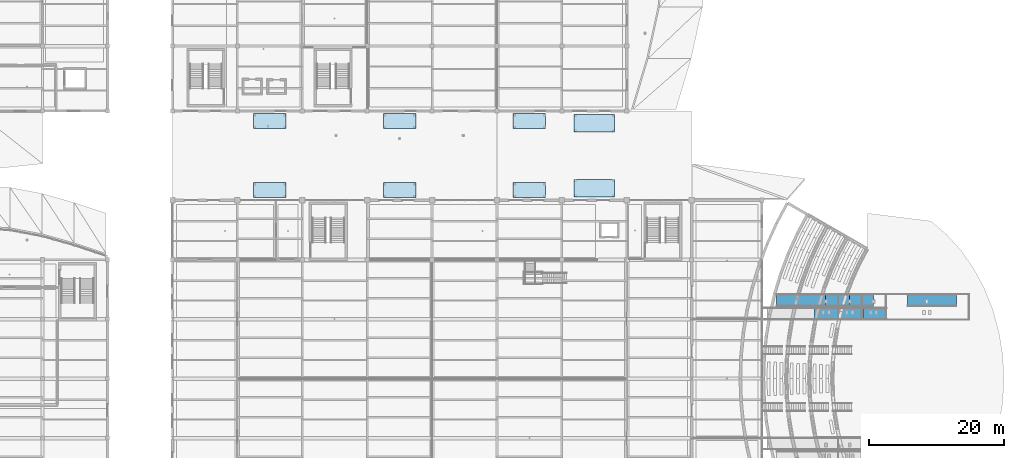
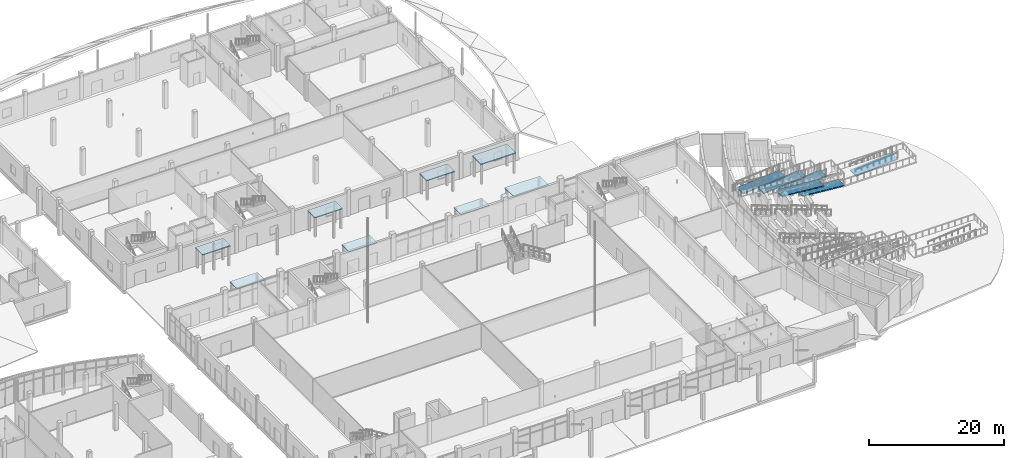
# One storey, part 89 of 116: 8 roofs, 6 ramp flights, 4 elements without a shape of their own.
"""IFC4 building model written with IfcOpenShell, lengths in metres."""

import ifcopenshell
import ifcopenshell.guid

model = None  # the IFC model being written
_history = None  # IfcOwnerHistory: only IFC2X3 demands one
_inside = {}  # id of a spatial element -> (the spatial element, [elements in it])
_under = {}  # id of a project, library or spatial element -> (it, [spatial elements below it])
_declared = {}  # id of a project -> (the project, [libraries it declares])
_typed = {}  # id of a type object -> (the type object, [elements of that type])
_made_of = {}  # id of a material, layer set ... -> (it, [elements and type objects made of it])


def new_model(schema):
    """Start an empty IFC model of exactly this schema.

    Asked for "IFC4X3", IfcOpenShell would pick the latest addendum, in which some entities
    have other attributes; the version numbers below select the first issue.
    IFC2X3 requires an IfcOwnerHistory on every rooted entity: one is made here for all.
    """
    global model, _history
    if schema == "IFC4X3":
        model = ifcopenshell.file(schema_version=(4, 3, 0, 0))
    else:
        model = ifcopenshell.file(schema=schema)
    _inside.clear()
    _under.clear()
    _declared.clear()
    _typed.clear()
    _made_of.clear()
    _history = None
    if model.schema == "IFC2X3":
        org = make("IfcOrganization", Name="unknown")
        user = make(
            "IfcPersonAndOrganization",
            ThePerson=make("IfcPerson", FamilyName="unknown"),
            TheOrganization=org,
        )
        app = make(
            "IfcApplication",
            ApplicationDeveloper=org,
            Version="unknown",
            ApplicationFullName="unknown",
            ApplicationIdentifier="unknown",
        )
        _history = make(
            "IfcOwnerHistory",
            OwningUser=user,
            OwningApplication=app,
            ChangeAction="ADDED",
            CreationDate=0,
        )
    return model


def make(cls, **values):
    """One entity of the class cls with the attributes given. An attribute that is None is left unset."""
    return model.create_entity(
        cls, **{name: value for name, value in values.items() if value is not None}
    )


def rooted(cls, **values):
    """An entity with a GlobalId (a new one), such as an element, a storey or a relation."""
    return make(cls, GlobalId=ifcopenshell.guid.new(), OwnerHistory=_history, **values)


def si_unit(unit_type, name, prefix=None):
    """IfcSIUnit, for example si_unit("LENGTHUNIT", "METRE", prefix="MILLI")."""
    return make("IfcSIUnit", UnitType=unit_type, Prefix=prefix, Name=name)


def assignment(units):
    """IfcUnitAssignment: the units of a project."""
    return None if units is None else make("IfcUnitAssignment", Units=units)


def point(xyz):
    """IfcCartesianPoint."""
    return None if xyz is None else make("IfcCartesianPoint", Coordinates=xyz)


def direction(xyz):
    """IfcDirection."""
    return None if xyz is None else make("IfcDirection", DirectionRatios=xyz)


def frame(location, z_axis=None, x_axis=None):
    """IfcAxis2Placement3D, a coordinate frame: its origin and axes. An axis left out is left unset."""
    return make(
        "IfcAxis2Placement3D",
        Location=point(location),
        Axis=direction(z_axis),
        RefDirection=direction(x_axis),
    )


def origin():
    """The frame at (0, 0, 0) with its axes left unset."""
    return frame((0.0, 0.0, 0.0))


def place(relative_to, where):
    """IfcLocalPlacement: puts the frame where relative to a parent placement (None: the world)."""
    return make(
        "IfcLocalPlacement", PlacementRelTo=relative_to, RelativePlacement=where
    )


def context(
    kind, dimensions, precision=None, world=None, true_north=None, identifier=None
):
    """IfcGeometricRepresentationContext, for example the 3D "Model" context."""
    return make(
        "IfcGeometricRepresentationContext",
        ContextIdentifier=identifier,
        ContextType=kind,
        CoordinateSpaceDimension=dimensions,
        Precision=precision,
        WorldCoordinateSystem=world,
        TrueNorth=true_north,
    )


def subcontext(parent, identifier, kind, view, scale=None):
    """IfcGeometricRepresentationSubContext, for example "Body" below "Model"."""
    return make(
        "IfcGeometricRepresentationSubContext",
        ContextIdentifier=identifier,
        ContextType=kind,
        ParentContext=parent,
        TargetScale=scale,
        TargetView=view,
    )


def project(units=None, contexts=None):
    """IfcProject with its units and contexts."""
    return rooted(
        "IfcProject",
        Name="project",
        RepresentationContexts=contexts,
        UnitsInContext=assignment(units),
    )


def spatial(cls, under=None, at=None, **own):
    """A site, building, storey or space (cls), placed at a placement, below another one or the project."""
    s = rooted(cls, ObjectPlacement=at, **own)
    if under is not None:
        _under.setdefault(under.id(), (under, []))[1].append(s)
    return s


def polyline(points):
    """IfcPolyline through the points."""
    return make("IfcPolyline", Points=[point(p) for p in points])


def outline(outer, holes=None, kind="AREA"):
    """IfcArbitraryClosedProfileDef: a profile drawn as a closed curve; with holes, ...WithVoids."""
    if holes is None:
        return make("IfcArbitraryClosedProfileDef", ProfileType=kind, OuterCurve=outer)
    return make(
        "IfcArbitraryProfileDefWithVoids",
        ProfileType=kind,
        OuterCurve=outer,
        InnerCurves=holes,
    )


def extrude(swept, where, along, depth):
    """IfcExtrudedAreaSolid: the profile swept, set in the frame where, extruded along a direction by depth."""
    return make(
        "IfcExtrudedAreaSolid",
        SweptArea=swept,
        Position=where,
        ExtrudedDirection=direction(along),
        Depth=depth,
    )


def shape(context_of_items, identifier, shape_type, items):
    """IfcShapeRepresentation: the items that make up one representation, for example the "Body"."""
    return make(
        "IfcShapeRepresentation",
        ContextOfItems=context_of_items,
        RepresentationIdentifier=identifier,
        RepresentationType=shape_type,
        Items=items,
    )


def material(Name=None, Category=None):
    """IfcMaterial."""
    return make("IfcMaterial", Name=Name, Category=Category)


def layer(
    of_material, thickness, ventilated=None, Name=None, Category=None, Priority=None
):
    """IfcMaterialLayer: one layer of a wall or slab, of a material (None: an air gap)."""
    return make(
        "IfcMaterialLayer",
        Material=of_material,
        LayerThickness=thickness,
        IsVentilated=ventilated,
        Name=Name,
        Category=Category,
        Priority=Priority,
    )


def layer_set(layers, Name=None):
    """IfcMaterialLayerSet."""
    return make("IfcMaterialLayerSet", MaterialLayers=layers, LayerSetName=Name)


def made_of(thing, what):
    """Note that an element or type object is made of a material, layer set ...; save() writes the relation."""
    if what is not None:
        _made_of.setdefault(what.id(), (what, []))[1].append(thing)
    return thing


def type_object(cls, material=None, **own):
    """A type object (cls), such as IfcWallType, which elements share."""
    return made_of(rooted(cls, **own), material)


def element(
    cls,
    number,
    at=None,
    inside=None,
    cuts=None,
    type_object=None,
    material=None,
    context=None,
    identifier="Body",
    shape_type=None,
    held_by="IfcProductDefinitionShape",
    body=None,
    shapes=None,
    **own,
):
    """One element of the class cls, such as IfcWall. Its Tag is "e" and its number.

    at: its placement. inside: the storey or other place that contains it. cuts: it is an
    opening in that element (IfcRelVoidsElement). A single representation is given by context,
    identifier, shape_type and body (its items); several are given by shapes. held_by: the class
    of the entity that holds the representations. save() writes the other relations.
    """
    e = rooted(cls, Tag="e%d" % number, ObjectPlacement=at, **own)
    if body is not None:
        shapes = [shape(context, identifier, shape_type, body)]
    if shapes is not None:
        e.Representation = make(held_by, Representations=shapes)
    if inside is not None:
        _inside.setdefault(inside.id(), (inside, []))[1].append(e)
    if cuts is not None:
        rooted(
            "IfcRelVoidsElement", RelatingBuildingElement=cuts, RelatedOpeningElement=e
        )
    if type_object is not None:
        _typed.setdefault(type_object.id(), (type_object, []))[1].append(e)
    return made_of(e, material)


def aggregate(whole, parts):
    """IfcRelAggregates: a whole, such as a stair, and the parts it consists of."""
    return rooted("IfcRelAggregates", RelatingObject=whole, RelatedObjects=parts)


def save(model, path):
    """Write the relations noted so far, then the file.

    IfcRelAggregates (storeys below a building ...), IfcRelContainedInSpatialStructure (elements
    in a storey), IfcRelDefinesByType, IfcRelAssociatesMaterial and IfcRelDeclares: one each for
    every whole, place, type object, material and project.
    """
    for whole, parts in _under.values():
        aggregate(whole, parts)
    for where, things in _inside.values():
        rooted(
            "IfcRelContainedInSpatialStructure",
            RelatedElements=things,
            RelatingStructure=where,
        )
    for kind, things in _typed.values():
        rooted("IfcRelDefinesByType", RelatedObjects=things, RelatingType=kind)
    for what, things in _made_of.values():
        rooted("IfcRelAssociatesMaterial", RelatedObjects=things, RelatingMaterial=what)
    for by, libraries in _declared.values():
        rooted("IfcRelDeclares", RelatingContext=by, RelatedDefinitions=libraries)
    model.write(path)


model = new_model("IFC4")

# Units and contexts
model_context = context("Model", 3, precision=1e-05, world=origin(), true_north=direction((0.0, 1.0)))
body_context = subcontext(model_context, "Body", "Model", "MODEL_VIEW")
ifc_project = project(units=[si_unit("LENGTHUNIT", "METRE"), si_unit("AREAUNIT", "SQUARE_METRE"), si_unit("VOLUMEUNIT", "CUBIC_METRE"), si_unit("PLANEANGLEUNIT", "RADIAN"), si_unit("MASSUNIT", "GRAM", prefix="KILO")], contexts=[model_context])

# Site, building, storey
site_placement = place(None, origin())
site = spatial("IfcSite", under=ifc_project, at=site_placement, CompositionType="ELEMENT")
building_placement = place(site_placement, origin())
building = spatial("IfcBuilding", under=site, at=building_placement, Name="Chalmorin Arch Market", CompositionType="ELEMENT")
storey_placement = place(building_placement, origin())
storey = spatial("IfcBuildingStorey", under=building, at=storey_placement, Name="L00", CompositionType="ELEMENT", Elevation=0.0)

# Ramp, ramp flights
ifc_material_1 = material(Name="Concrete C40/50", Category="concrete")
ramp_type = type_object("IfcRampType", Name="AmphitheatreAccessibleRamp-1800", PredefinedType="HALF_TURN_RAMP", material=ifc_material_1)
ramp_1_placement = place(storey_placement, origin())
ramp_1 = element("IfcRamp", 1, at=ramp_1_placement, inside=storey, type_object=ramp_type, material=ifc_material_1, Name="RMP-02", PredefinedType="HALF_TURN_RAMP")
ifc_layer_1 = layer(ifc_material_1, 0.199951171875)
ifc_layer_set_1 = layer_set([ifc_layer_1], Name="Concrete C40/50")
ramp_flight_type = type_object("IfcRampFlightType", Name="AccessibleRampFlight-1800", PredefinedType="STRAIGHT", material=ifc_layer_set_1)
ramp_flight_1_placement = place(storey_placement, frame((156.75, 43.10009765625, 0.0), z_axis=(-0.083059462528, 0.0, 0.996544592923), x_axis=(0.996544592923, 0.0, 0.083059462528)))
ramp_flight_1 = element("IfcRampFlight", 2, at=ramp_flight_1_placement, type_object=ramp_flight_type, material=ifc_material_1, Name="RMP-02-F1", PredefinedType="STRAIGHT", context=body_context, shape_type="SweptSolid", body=[
    extrude(outline(polyline([(0.0, 0.0), (7.224916198435864, 0.0), (7.224916198435864, 1.7998046875), (0.0, 1.7998046875), (0.0, 0.0)])), origin(), (0.0, 0.0, -1.0), 0.199951171875),
])
ramp_flight_2_placement = place(storey_placement, frame((146.39892578125, 41.10009765625, 1.199951171875), z_axis=(0.083023108232, 0.0, 0.996547622294), x_axis=(0.996547622294, 0.0, -0.083023108232)))
ramp_flight_2 = element("IfcRampFlight", 3, at=ramp_flight_2_placement, type_object=ramp_flight_type, material=ifc_material_1, Name="RMP-02-F2", PredefinedType="STRAIGHT", context=body_context, shape_type="SweptSolid", body=[
    extrude(outline(polyline([(0.0, 0.0), (7.225139222074177, 0.0), (7.225139222074177, 1.7998046875), (0.0, 1.7998046875), (0.0, 0.0)])), origin(), (0.0, 0.0, -1.0), 0.199951171875),
])
aggregate(ramp_1, [ramp_flight_1, ramp_flight_2])

ramp_2_placement = place(storey_placement, origin())
ramp_2 = element("IfcRamp", 4, at=ramp_2_placement, inside=storey, type_object=ramp_type, material=ifc_material_1, Name="RMP-04", PredefinedType="HALF_TURN_RAMP")
ramp_flight_3_placement = place(storey_placement, frame((144.462890625, 43.10009765625, 1.199951171875), z_axis=(-0.083056665618, 0.0, 0.996544826035), x_axis=(0.996544826035, 0.0, 0.083056665618)))
ramp_flight_3 = element("IfcRampFlight", 5, at=ramp_flight_3_placement, type_object=ramp_flight_type, material=ifc_material_1, Name="RMP-04-F1", PredefinedType="STRAIGHT", context=body_context, shape_type="SweptSolid", body=[
    extrude(outline(polyline([(0.0, 0.0), (7.2251594954840765, 0.0), (7.2251594954840765, 1.7998046875), (0.0, 1.7998046875), (0.0, 0.0)])), origin(), (0.0, 0.0, -1.0), 0.199951171875),
])
ramp_flight_4_placement = place(storey_placement, frame((142.9150390625, 41.10009765625, 2.39990234375), z_axis=(0.083025904028, 0.0, 0.99654738937), x_axis=(0.99654738937, 0.0, -0.083025904028)))
ramp_flight_4 = element("IfcRampFlight", 6, at=ramp_flight_4_placement, type_object=ramp_flight_type, material=ifc_material_1, Name="RMP-04-F2", PredefinedType="STRAIGHT", context=body_context, shape_type="SweptSolid", body=[
    extrude(outline(polyline([(0.0, 0.0), (7.224895924343261, 0.0), (7.224895924343261, 1.7998046875), (0.0, 1.7998046875), (0.0, 0.0)])), origin(), (0.0, 0.0, -1.0), 0.199951171875),
])
aggregate(ramp_2, [ramp_flight_3, ramp_flight_4])

# Ramp, ramp flight
ramp_3_placement = place(storey_placement, origin())
ramp_3 = element("IfcRamp", 7, at=ramp_3_placement, inside=storey, type_object=ramp_type, material=ifc_material_1, Name="RMP-06", PredefinedType="HALF_TURN_RAMP")
ramp_flight_5_placement = place(storey_placement, frame((140.9130859375, 43.10009765625, 2.39990234375), z_axis=(-0.083059462528, 0.0, 0.996544592923), x_axis=(0.996544592923, 0.0, 0.083059462528)))
ramp_flight_5 = element("IfcRampFlight", 8, at=ramp_flight_5_placement, type_object=ramp_flight_type, material=ifc_material_1, Name="RMP-06-F1", PredefinedType="STRAIGHT", context=body_context, shape_type="SweptSolid", body=[
    extrude(outline(polyline([(0.0, 0.0), (7.224916198435864, 0.0), (7.224916198435864, 1.7998046875), (0.0, 1.7998046875), (0.0, 0.0)])), origin(), (0.0, 0.0, -1.0), 0.199951171875),
])
aggregate(ramp_3, [ramp_flight_5])

ramp_4_placement = place(storey_placement, origin())
ramp_4 = element("IfcRamp", 9, at=ramp_4_placement, inside=storey, type_object=ramp_type, material=ifc_material_1, Name="RMP-08", PredefinedType="HALF_TURN_RAMP")
ramp_flight_6_placement = place(storey_placement, frame((137.385009765625, 43.10009765625, 3.60009765625), z_axis=(-0.083025904028, 0.0, 0.99654738937), x_axis=(0.99654738937, 0.0, 0.083025904028)))
ramp_flight_6 = element("IfcRampFlight", 10, at=ramp_flight_6_placement, type_object=ramp_flight_type, material=ifc_material_1, Name="RMP-08-F1", PredefinedType="STRAIGHT", context=body_context, shape_type="SweptSolid", body=[
    extrude(outline(polyline([(0.0, 0.0), (7.224895924343261, 0.0), (7.224895924343261, 1.7998046875), (0.0, 1.7998046875), (0.0, 0.0)])), origin(), (0.0, 0.0, -1.0), 0.199951171875),
])
aggregate(ramp_4, [ramp_flight_6])

# Roofs
ifc_material_2 = material(Name="Aluminium 6063-T6", Category="aluminium")
ifc_layer_2 = layer(ifc_material_2, 0.159912109375)
ifc_layer_set_2 = layer_set([ifc_layer_2], Name="Aluminium 6063-T6")
roof_type_1 = type_object("IfcRoofType", Name="EntryPortalCanopyRoof-4800x2200", PredefinedType="PAVILION_ROOF", material=ifc_layer_set_2)
roof_1_placement = place(storey_placement, frame((0.0, 0.0, 3.469970703125)))
element("IfcRoof", 11, at=roof_1_placement, inside=storey, type_object=roof_type_1, Name="CNP-01-001", PredefinedType="PAVILION_ROOF", context=body_context, shape_type="SweptSolid", body=[
    extrude(outline(polyline([(60.0, 59.199951171875), (64.800048828125, 59.199951171875), (64.800048828125, 61.39990234375), (60.0, 61.39990234375), (60.0, 59.199951171875)])), origin(), (0.0, 0.0, 1.0), 0.159912109375),
])
roof_2_placement = place(storey_placement, frame((0.0, 0.0, 3.469970703125)))
element("IfcRoof", 12, at=roof_2_placement, inside=storey, type_object=roof_type_1, Name="CNP-01-002", PredefinedType="PAVILION_ROOF", context=body_context, shape_type="SweptSolid", body=[
    extrude(outline(polyline([(79.199951171875, 59.199951171875), (84.0, 59.199951171875), (84.0, 61.39990234375), (79.199951171875, 61.39990234375), (79.199951171875, 59.199951171875)])), origin(), (0.0, 0.0, 1.0), 0.159912109375),
])
roof_3_placement = place(storey_placement, frame((0.0, 0.0, 3.469970703125)))
element("IfcRoof", 13, at=roof_3_placement, inside=storey, type_object=roof_type_1, Name="CNP-01-003", PredefinedType="PAVILION_ROOF", context=body_context, shape_type="SweptSolid", body=[
    extrude(outline(polyline([(98.39990234375, 59.199951171875), (103.199951171875, 59.199951171875), (103.199951171875, 61.39990234375), (98.39990234375, 61.39990234375), (98.39990234375, 59.199951171875)])), origin(), (0.0, 0.0, 1.0), 0.159912109375),
])
roof_4_placement = place(storey_placement, frame((0.0, 0.0, 3.469970703125)))
element("IfcRoof", 14, at=roof_4_placement, inside=storey, type_object=roof_type_1, Name="CNP-01-004", PredefinedType="PAVILION_ROOF", context=body_context, shape_type="SweptSolid", body=[
    extrude(outline(polyline([(60.0, 69.39990234375), (64.800048828125, 69.39990234375), (64.800048828125, 71.60009765625), (60.0, 71.60009765625), (60.0, 69.39990234375)])), origin(), (0.0, 0.0, 1.0), 0.159912109375),
])
roof_5_placement = place(storey_placement, frame((0.0, 0.0, 3.469970703125)))
element("IfcRoof", 15, at=roof_5_placement, inside=storey, type_object=roof_type_1, Name="CNP-01-005", PredefinedType="PAVILION_ROOF", context=body_context, shape_type="SweptSolid", body=[
    extrude(outline(polyline([(79.199951171875, 69.39990234375), (84.0, 69.39990234375), (84.0, 71.60009765625), (79.199951171875, 71.60009765625), (79.199951171875, 69.39990234375)])), origin(), (0.0, 0.0, 1.0), 0.159912109375),
])
roof_6_placement = place(storey_placement, frame((0.0, 0.0, 3.469970703125)))
element("IfcRoof", 16, at=roof_6_placement, inside=storey, type_object=roof_type_1, Name="CNP-01-006", PredefinedType="PAVILION_ROOF", context=body_context, shape_type="SweptSolid", body=[
    extrude(outline(polyline([(98.39990234375, 69.39990234375), (103.199951171875, 69.39990234375), (103.199951171875, 71.60009765625), (98.39990234375, 71.60009765625), (98.39990234375, 69.39990234375)])), origin(), (0.0, 0.0, 1.0), 0.159912109375),
])
ifc_material_3 = material(Name="Weathering Steel A588", Category="steel")
ifc_layer_3 = layer(ifc_material_3, 0.179931640625)
ifc_layer_set_3 = layer_set([ifc_layer_3], Name="Weathering Steel A588")
roof_type_2 = type_object("IfcRoofType", Name="TerracePergolaCanopyRoof-6000x2600", PredefinedType="PAVILION_ROOF", material=ifc_layer_set_3)
roof_7_placement = place(storey_placement, frame((0.0, 0.0, 3.56005859375)))
element("IfcRoof", 17, at=roof_7_placement, inside=storey, type_object=roof_type_2, Name="CNP-02-007", PredefinedType="PAVILION_ROOF", context=body_context, shape_type="SweptSolid", body=[
    extrude(outline(polyline([(107.39990234375, 59.300048828125), (113.39990234375, 59.300048828125), (113.39990234375, 61.89990234375), (107.39990234375, 61.89990234375), (107.39990234375, 59.300048828125)])), origin(), (0.0, 0.0, 1.0), 0.179931640625),
])
roof_8_placement = place(storey_placement, frame((0.0, 0.0, 3.56005859375)))
element("IfcRoof", 18, at=roof_8_placement, inside=storey, type_object=roof_type_2, Name="CNP-02-008", PredefinedType="PAVILION_ROOF", context=body_context, shape_type="SweptSolid", body=[
    extrude(outline(polyline([(107.39990234375, 68.89990234375), (113.39990234375, 68.89990234375), (113.39990234375, 71.5), (107.39990234375, 71.5), (107.39990234375, 68.89990234375)])), origin(), (0.0, 0.0, 1.0), 0.179931640625),
])

save(model, "model.ifc")
